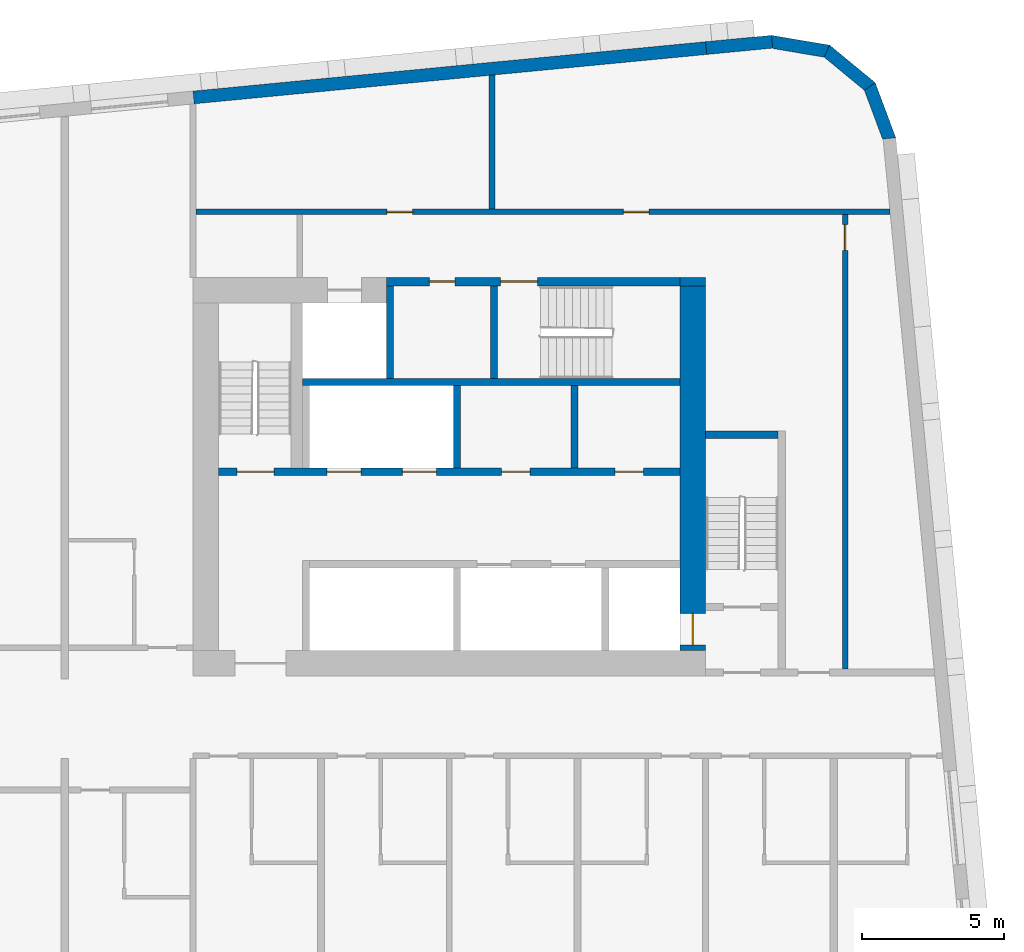
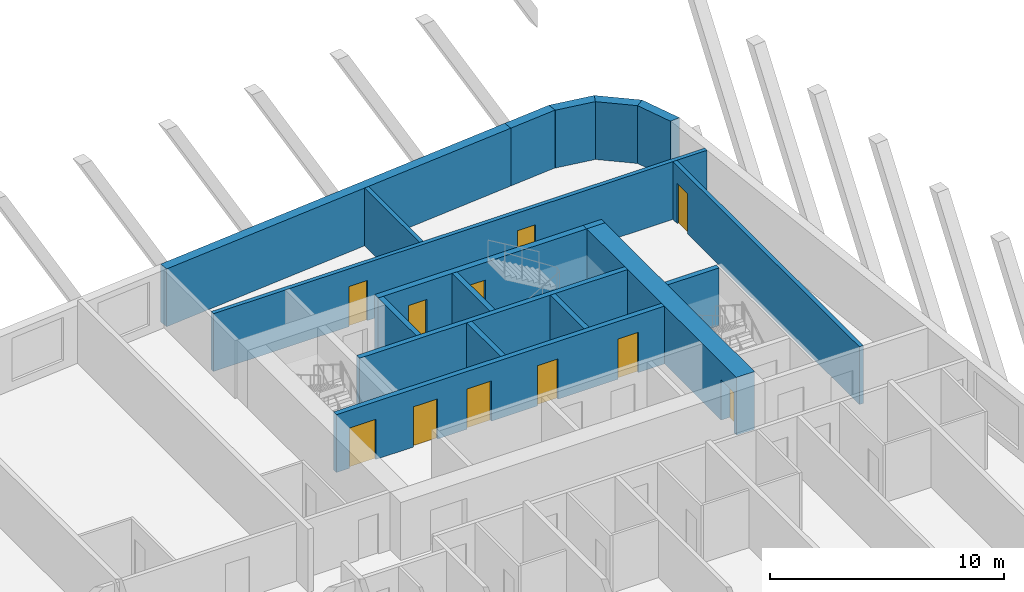
# One storey, part 8 of 13: 18 walls, 11 doors, 11 openings.
"""IFC4 building model written with IfcOpenShell, lengths in metres."""

from ifc_helpers import new_model, si_unit, direction, frame, frame_2d, origin, place, context, subcontext, project, spatial, polyline, rectangle, outline, extrude, material, layer, layer_set, type_object, element, fill, save


model = new_model("IFC4")

# Units and contexts
model_context = context("Model", 3, precision=1e-05, world=origin(), true_north=direction((0.0, 1.0)))
body_context = subcontext(model_context, "Body", "Model", "MODEL_VIEW")
ifc_project = project(units=[si_unit("LENGTHUNIT", "METRE"), si_unit("AREAUNIT", "SQUARE_METRE"), si_unit("VOLUMEUNIT", "CUBIC_METRE"), si_unit("PLANEANGLEUNIT", "RADIAN"), si_unit("MASSUNIT", "GRAM", prefix="KILO")], contexts=[model_context])

# Site, building, storey
site_placement = place(None, origin())
site = spatial("IfcSite", under=ifc_project, at=site_placement, CompositionType="ELEMENT")
building_placement = place(site_placement, origin())
building = spatial("IfcBuilding", under=site, at=building_placement, Name="Kajstack Hotel Tower", CompositionType="ELEMENT")
storey_placement = place(building_placement, frame((0.0, 0.0, 186.699951171875)))
storey = spatial("IfcBuildingStorey", under=building, at=storey_placement, Name="L44", CompositionType="ELEMENT", Elevation=186.699951171875)

# Wall
ifc_material_1 = material(Name="Concrete C60/75", Category="concrete")
ifc_layer_1 = layer(ifc_material_1, 0.89990234375)
ifc_layer_set_1 = layer_set([ifc_layer_1], Name="Core wall 900")
wall_type_1 = type_object("IfcWallType", Name="Core wall 900", PredefinedType="SHEAR", material=ifc_layer_set_1)
wall_1_placement = place(storey_placement, frame((30.60009765625, 15.35009765625, 0.0), z_axis=(0.0, 0.0, 1.0), x_axis=(1.0, 0.0, 0.0)))
element("IfcWall", 1, at=wall_1_placement, inside=storey, type_object=wall_type_1, Name="Core wall E RSW", PredefinedType="SHEAR", context=body_context, shape_type="SweptSolid", body=[
    extrude(rectangle(XDim=0.89990234375, YDim=0.300048828125, at=frame_2d((0.449951171875, 0.0))), origin(), (0.0, 0.0, 1.0), 3.02001953125),
])

# Wall, opening, door
wall_2_placement = place(storey_placement, frame((31.050048828125, 2.39990234375, 0.0), z_axis=(0.0, 0.0, 1.0), x_axis=(0.0, 1.0, 0.0)))
wall_2 = element("IfcWall", 2, at=wall_2_placement, inside=storey, type_object=wall_type_1, Name="Core wall E RW", PredefinedType="SHEAR", context=body_context, shape_type="SweptSolid", body=[
    extrude(rectangle(XDim=12.800048828125, YDim=0.89990234375, at=frame_2d((6.39990234375, 0.0))), origin(), (0.0, 0.0, 1.0), 3.02001953125),
])
opening_1_placement = place(wall_2_placement, frame((0.199951171875, 0.0, 0.0)))
opening_1 = element("IfcOpeningElement", 3, at=opening_1_placement, cuts=wall_2, Name="Opening LD-FF2", PredefinedType="OPENING", context=body_context, shape_type="SweptSolid", body=[
    extrude(rectangle(XDim=1.10009765625, YDim=2.10009765625, at=frame_2d((0.550048828125, 1.050048828125))), frame((0.0, 0.4599609375, 0.0), z_axis=(0.0, -1.0, 0.0), x_axis=(1.0, 0.0, 0.0)), (0.0, 0.0, 1.0), 0.919921875),
])
ifc_material_2 = material(Name="Stainless steel", Category="steel")
door_type_1 = type_object("IfcDoorType", Name="Fire-fighting lift landing door 1100", OperationType="SLIDING_TO_LEFT", PredefinedType="DOOR", material=ifc_material_2)
door_1_placement = place(opening_1_placement, origin())
door_1 = element("IfcDoor", 4, at=door_1_placement, inside=storey, type_object=door_type_1, Name="Landing door FF2", OperationType="SLIDING_TO_LEFT", OverallHeight=2.10009765625, OverallWidth=1.10009765625, PredefinedType="DOOR", context=body_context, shape_type="SweptSolid", body=[
    extrude(rectangle(XDim=1.10009765625, YDim=2.10009765625, at=frame_2d((0.550048828125, 1.050048828125))), frame((0.0, 0.02490234375, 0.0), z_axis=(0.0, -1.0, 0.0), x_axis=(1.0, 0.0, 0.0)), (0.0, 0.0, 1.0), 0.050048828125),
])
fill(opening_1, door_1)

# Walls
ifc_material_3 = material(Name="Concrete C40/50", Category="concrete")
ifc_layer_2 = layer(ifc_material_3, 0.449951171875)
ifc_layer_set_2 = layer_set([ifc_layer_2], Name="EW-CORE")
wall_type_2 = type_object("IfcWallType", Name="EW-CORE", PredefinedType="SOLIDWALL", material=ifc_layer_set_2)
wall_3_placement = place(storey_placement, frame((31.521484375, 23.55078125, 0.0), z_axis=(0.0, 0.0, 1.0), x_axis=(-0.995395166513, -0.095856468129, 0.0)))
element("IfcWall", 5, at=wall_3_placement, inside=storey, type_object=wall_type_2, Name="E-wall-L44-12-01", PredefinedType="SOLIDWALL", context=body_context, shape_type="SweptSolid", body=[
    extrude(rectangle(XDim=18.083251953125, YDim=0.449951171875, at=frame_2d((9.04150390625, 0.0))), origin(), (0.0, 0.0, 1.0), 3.02001953125),
])
ifc_material_4 = material(Name="Terracotta-faced brick masonry", Category="masonry")
ifc_layer_3 = layer(ifc_material_4, 0.449951171875)
ifc_layer_set_3 = layer_set([ifc_layer_3], Name="EW-TERRA")
wall_type_3 = type_object("IfcWallType", Name="EW-TERRA", PredefinedType="SOLIDWALL", material=ifc_layer_set_3)
wall_4_placement = place(storey_placement, frame((37.96875, 20.320556640625, 0.0), z_axis=(0.0, 0.0, 1.0), x_axis=(-0.350192909346, 0.936677599948, 0.0)))
element("IfcWall", 6, at=wall_4_placement, inside=storey, type_object=wall_type_3, Name="E-wall-L44-09-00", PredefinedType="SOLIDWALL", context=body_context, shape_type="SweptSolid", body=[
    extrude(outline(polyline([(0.0, -0.22509765625), (2.070556640625, -0.22509765625), (1.949951171875, 0.22509765625), (0.12060546875, 0.224853515625), (0.0, -0.22509765625)])), origin(), (0.0, 0.0, 1.0), 3.02001953125),
])
wall_5_placement = place(storey_placement, frame((37.311279296875, 22.165283203125, 0.0), z_axis=(0.0, 0.0, 1.0), x_axis=(-0.771651049663, 0.636046112757, 0.0)))
element("IfcWall", 7, at=wall_5_placement, inside=storey, type_object=wall_type_3, Name="E-wall-L44-10-00", PredefinedType="SOLIDWALL", context=body_context, shape_type="SweptSolid", body=[
    extrude(outline(polyline([(0.0, -0.224853515625), (2.0703125, -0.22509765625), (1.94970703125, 0.224853515625), (0.12060546875, 0.22509765625), (0.0, -0.224853515625)])), origin(), (0.0, 0.0, 1.0), 3.02001953125),
])
wall_6_placement = place(storey_placement, frame((35.819580078125, 23.433837890625, 0.0), z_axis=(0.0, 0.0, 1.0), x_axis=(-0.986278951104, 0.165087342366, 0.0)))
element("IfcWall", 8, at=wall_6_placement, inside=storey, type_object=wall_type_3, Name="E-wall-L44-11-00", PredefinedType="SOLIDWALL", context=body_context, shape_type="SweptSolid", body=[
    extrude(outline(polyline([(0.0, -0.22509765625), (2.070556640625, -0.224853515625), (1.949951171875, 0.22509765625), (0.12060546875, 0.224853515625), (0.0, -0.22509765625)])), origin(), (0.0, 0.0, 1.0), 3.02001953125),
])
wall_7_placement = place(storey_placement, frame((33.836181640625, 23.7734375, 0.0), z_axis=(0.0, 0.0, 1.0), x_axis=(-0.995405373555, -0.095750416695, 0.0)))
element("IfcWall", 9, at=wall_7_placement, inside=storey, type_object=wall_type_3, Name="E-wall-L44-12-00", PredefinedType="SOLIDWALL", context=body_context, shape_type="SweptSolid", body=[
    extrude(rectangle(XDim=2.325439453125, YDim=0.449951171875, at=frame_2d((1.16259765625, 0.0))), origin(), (0.0, 0.0, 1.0), 3.02001953125),
])
ifc_material_5 = material(Name="Concrete C50/60", Category="concrete")
ifc_layer_4 = layer(ifc_material_5, 0.300048828125)
ifc_layer_set_4 = layer_set([ifc_layer_4], Name="Hoistway divider wall 300")
wall_type_4 = type_object("IfcWallType", Name="Hoistway divider wall 300", PredefinedType="SHEAR", material=ifc_layer_set_4)
wall_8_placement = place(storey_placement, frame((22.77490234375, 8.800048828125, 0.0), z_axis=(0.0, 0.0, 1.0), x_axis=(0.0, 1.0, 0.0)))
element("IfcWall", 10, at=wall_8_placement, inside=storey, type_object=wall_type_4, Name="Core wall E BP2", PredefinedType="SHEAR", context=body_context, shape_type="SweptSolid", body=[
    extrude(rectangle(XDim=2.89990234375, YDim=0.25, at=frame_2d((1.449951171875, 0.0))), origin(), (0.0, 0.0, 1.0), 3.02001953125),
])
ifc_material_6 = material(Name="Concrete block masonry", Category="masonry")
ifc_layer_5 = layer(ifc_material_6, 0.25)
ifc_layer_set_5 = layer_set([ifc_layer_5], Name="Riser partition 250")
wall_type_5 = type_object("IfcWallType", Name="Riser partition 250", PredefinedType="PARTITIONING", material=ifc_layer_set_5)
wall_9_placement = place(storey_placement, frame((26.89990234375, 8.800048828125, 0.0), z_axis=(0.0, 0.0, 1.0), x_axis=(0.0, 1.0, 0.0)))
element("IfcWall", 11, at=wall_9_placement, inside=storey, type_object=wall_type_5, Name="Partition E BF0", PredefinedType="PARTITIONING", context=body_context, shape_type="SweptSolid", body=[
    extrude(rectangle(XDim=2.89990234375, YDim=0.25, at=frame_2d((1.449951171875, 0.0))), origin(), (0.0, 0.0, 1.0), 3.02001953125),
])

# Wall, opening, door
ifc_material_7 = material(Name="Gypsum board on steel studs, mineral wool", Category="steel")
ifc_layer_6 = layer(ifc_material_7, 0.199951171875)
ifc_layer_set_6 = layer_set([ifc_layer_6], Name="Service partition 200")
wall_type_6 = type_object("IfcWallType", Name="Service partition 200", PredefinedType="PARTITIONING", material=ifc_layer_set_6)
wall_10_placement = place(storey_placement, frame((36.39990234375, 1.75, 0.0), z_axis=(0.0, 0.0, 1.0), x_axis=(0.0, 1.0, 0.0)))
wall_10 = element("IfcWall", 12, at=wall_10_placement, inside=storey, type_object=wall_type_6, Name="Partition E WRE", PredefinedType="PARTITIONING", context=body_context, shape_type="SweptSolid", body=[
    extrude(rectangle(XDim=15.949951171875, YDim=0.199951171875, at=frame_2d((7.97509765625, 0.0))), origin(), (0.0, 0.0, 1.0), 3.02001953125),
])
opening_2_placement = place(wall_10_placement, frame((14.699951171875, 0.0, 0.0)))
opening_2 = element("IfcOpeningElement", 13, at=opening_2_placement, cuts=wall_10, Name="Opening 44E18", PredefinedType="OPENING", context=body_context, shape_type="SweptSolid", body=[
    extrude(rectangle(XDim=0.89990234375, YDim=2.10009765625, at=frame_2d((0.449951171875, 1.050048828125))), frame((0.0, 0.10986328125, 0.0), z_axis=(0.0, -1.0, 0.0), x_axis=(1.0, 0.0, 0.0)), (0.0, 0.0, 1.0), 0.219970703125),
])
ifc_material_8 = material(Name="Timber leaf, fire-rated", Category="wood")
door_type_2 = type_object("IfcDoorType", Name="Service door 900", OperationType="SINGLE_SWING_LEFT", PredefinedType="DOOR", material=ifc_material_8)
door_2_placement = place(opening_2_placement, origin())
door_2 = element("IfcDoor", 14, at=door_2_placement, inside=storey, type_object=door_type_2, Name="Door 44E18", OperationType="SINGLE_SWING_RIGHT", OverallHeight=2.10009765625, OverallWidth=0.89990234375, PredefinedType="DOOR", context=body_context, shape_type="SweptSolid", body=[
    extrude(rectangle(XDim=0.89990234375, YDim=2.10009765625, at=frame_2d((0.449951171875, 1.050048828125))), frame((0.0, 0.02490234375, 0.0), z_axis=(0.0, -1.0, 0.0), x_axis=(1.0, 0.0, 0.0)), (0.0, 0.0, 1.0), 0.050048828125),
])
fill(opening_2, door_2)

# Wall, openings, doors
wall_11_placement = place(storey_placement, frame((13.60009765625, 17.800048828125, 0.0), z_axis=(0.0, 0.0, 1.0), x_axis=(1.0, 0.0, 0.0)))
wall_11 = element("IfcWall", 15, at=wall_11_placement, inside=storey, type_object=wall_type_6, Name="Partition E SLN", PredefinedType="PARTITIONING", context=body_context, shape_type="SweptSolid", body=[
    extrude(rectangle(XDim=24.377685546875, YDim=0.199951171875, at=frame_2d((12.18896484375, 0.0))), origin(), (0.0, 0.0, 1.0), 3.02001953125),
])
opening_3_placement = place(wall_11_placement, frame((15.012451171875, 0.0, 0.0)))
opening_3 = element("IfcOpeningElement", 16, at=opening_3_placement, cuts=wall_11, Name="Opening 44E16", PredefinedType="OPENING", context=body_context, shape_type="SweptSolid", body=[
    extrude(rectangle(XDim=0.89990234375, YDim=2.10009765625, at=frame_2d((0.449951171875, 1.050048828125))), frame((0.0, 0.10986328125, 0.0), z_axis=(0.0, -1.0, 0.0), x_axis=(1.0, 0.0, 0.0)), (0.0, 0.0, 1.0), 0.219970703125),
])
opening_4_placement = place(wall_11_placement, frame((6.71240234375, 0.0, 0.0)))
opening_4 = element("IfcOpeningElement", 17, at=opening_4_placement, cuts=wall_11, Name="Opening 44E17", PredefinedType="OPENING", context=body_context, shape_type="SweptSolid", body=[
    extrude(rectangle(XDim=0.89990234375, YDim=2.10009765625, at=frame_2d((0.449951171875, 1.050048828125))), frame((0.0, 0.10986328125, 0.0), z_axis=(0.0, -1.0, 0.0), x_axis=(1.0, 0.0, 0.0)), (0.0, 0.0, 1.0), 0.219970703125),
])
door_3_placement = place(opening_3_placement, origin())
door_3 = element("IfcDoor", 18, at=door_3_placement, inside=storey, type_object=door_type_2, Name="Door 44E16", OperationType="SINGLE_SWING_LEFT", OverallHeight=2.10009765625, OverallWidth=0.89990234375, PredefinedType="DOOR", context=body_context, shape_type="SweptSolid", body=[
    extrude(rectangle(XDim=0.89990234375, YDim=2.10009765625, at=frame_2d((0.449951171875, 1.050048828125))), frame((0.0, 0.02490234375, 0.0), z_axis=(0.0, -1.0, 0.0), x_axis=(1.0, 0.0, 0.0)), (0.0, 0.0, 1.0), 0.050048828125),
])
fill(opening_3, door_3)
door_4_placement = place(opening_4_placement, origin())
door_4 = element("IfcDoor", 19, at=door_4_placement, inside=storey, type_object=door_type_2, Name="Door 44E17", OperationType="SINGLE_SWING_LEFT", OverallHeight=2.10009765625, OverallWidth=0.89990234375, PredefinedType="DOOR", context=body_context, shape_type="SweptSolid", body=[
    extrude(rectangle(XDim=0.89990234375, YDim=2.10009765625, at=frame_2d((0.449951171875, 1.050048828125))), frame((0.0, 0.02490234375, 0.0), z_axis=(0.0, -1.0, 0.0), x_axis=(1.0, 0.0, 0.0)), (0.0, 0.0, 1.0), 0.050048828125),
])
fill(opening_4, door_4)

# Wall
wall_12_placement = place(storey_placement, frame((24.0, 17.89990234375, 0.0), z_axis=(0.0, 0.0, 1.0), x_axis=(0.0, 1.0, 0.0)))
element("IfcWall", 20, at=wall_12_placement, inside=storey, type_object=wall_type_6, Name="Partition E SLP0", PredefinedType="PARTITIONING", context=body_context, shape_type="SweptSolid", body=[
    extrude(rectangle(XDim=4.701416015625, YDim=0.199951171875, at=frame_2d((2.3505859375, 0.0))), origin(), (0.0, 0.0, 1.0), 3.02001953125),
])

# Wall, openings, doors
ifc_layer_7 = layer(ifc_material_5, 0.25)
ifc_layer_set_7 = layer_set([ifc_layer_7], Name="Shaft wall 250")
wall_type_7 = type_object("IfcWallType", Name="Shaft wall 250", PredefinedType="SHEAR", material=ifc_layer_set_7)
wall_13_placement = place(storey_placement, frame((20.300048828125, 15.35009765625, 0.0), z_axis=(0.0, 0.0, 1.0), x_axis=(1.0, 0.0, 0.0)))
wall_13 = element("IfcWall", 21, at=wall_13_placement, inside=storey, type_object=wall_type_7, Name="Core wall E RSS", PredefinedType="SHEAR", context=body_context, shape_type="SweptSolid", body=[
    extrude(rectangle(XDim=10.300048828125, YDim=0.300048828125, at=frame_2d((5.14990234375, 0.0))), origin(), (0.0, 0.0, 1.0), 3.02001953125),
])
opening_5_placement = place(wall_13_placement, frame((4.0, 0.0, 0.0)))
opening_5 = element("IfcOpeningElement", 22, at=opening_5_placement, cuts=wall_13, Name="Opening 44E12", PredefinedType="OPENING", context=body_context, shape_type="SweptSolid", body=[
    extrude(rectangle(XDim=1.300048828125, YDim=2.10009765625, at=frame_2d((0.64990234375, 1.050048828125))), frame((0.0, 0.159912109375, 0.0), z_axis=(0.0, -1.0, 0.0), x_axis=(1.0, 0.0, 0.0)), (0.0, 0.0, 1.0), 0.320068359375),
])
opening_6_placement = place(wall_13_placement, frame((1.5, 0.0, 0.0)))
opening_6 = element("IfcOpeningElement", 23, at=opening_6_placement, cuts=wall_13, Name="Opening 44E13", PredefinedType="OPENING", context=body_context, shape_type="SweptSolid", body=[
    extrude(rectangle(XDim=0.89990234375, YDim=2.10009765625, at=frame_2d((0.449951171875, 1.050048828125))), frame((0.0, 0.159912109375, 0.0), z_axis=(0.0, -1.0, 0.0), x_axis=(1.0, 0.0, 0.0)), (0.0, 0.0, 1.0), 0.320068359375),
])
door_5_placement = place(opening_6_placement, origin())
door_5 = element("IfcDoor", 24, at=door_5_placement, inside=storey, type_object=door_type_2, Name="Door 44E13", OperationType="SINGLE_SWING_RIGHT", OverallHeight=2.10009765625, OverallWidth=0.89990234375, PredefinedType="DOOR", context=body_context, shape_type="SweptSolid", body=[
    extrude(rectangle(XDim=0.89990234375, YDim=2.10009765625, at=frame_2d((0.449951171875, 1.050048828125))), frame((0.0, 0.02490234375, 0.0), z_axis=(0.0, -1.0, 0.0), x_axis=(1.0, 0.0, 0.0)), (0.0, 0.0, 1.0), 0.050048828125),
])
fill(opening_6, door_5)
ifc_material_9 = material(Name="Steel leaf, fire-rated", Category="steel")
door_type_3 = type_object("IfcDoorType", Name="Stair door 1300", OperationType="SINGLE_SWING_LEFT", PredefinedType="DOOR", material=ifc_material_9)
door_6_placement = place(opening_5_placement, origin())
door_6 = element("IfcDoor", 25, at=door_6_placement, inside=storey, type_object=door_type_3, Name="Door 44E12", OperationType="SINGLE_SWING_LEFT", OverallHeight=2.10009765625, OverallWidth=1.300048828125, PredefinedType="DOOR", context=body_context, shape_type="SweptSolid", body=[
    extrude(rectangle(XDim=1.300048828125, YDim=2.10009765625, at=frame_2d((0.64990234375, 1.050048828125))), frame((0.0, 0.02490234375, 0.0), z_axis=(0.0, -1.0, 0.0), x_axis=(1.0, 0.0, 0.0)), (0.0, 0.0, 1.0), 0.050048828125),
])
fill(opening_5, door_6)

wall_14_placement = place(storey_placement, frame((14.39990234375, 8.675048828125, 0.0), z_axis=(0.0, 0.0, 1.0), x_axis=(1.0, 0.0, 0.0)))
wall_14 = element("IfcWall", 26, at=wall_14_placement, inside=storey, type_object=wall_type_7, Name="Core wall E FB", PredefinedType="SHEAR", context=body_context, shape_type="SweptSolid", body=[
    extrude(rectangle(XDim=16.2001953125, YDim=0.25, at=frame_2d((8.10009765625, 0.0))), origin(), (0.0, 0.0, 1.0), 3.02001953125),
])
opening_7_placement = place(wall_14_placement, frame((6.449951171875, 0.0, 0.0)))
opening_7 = element("IfcOpeningElement", 27, at=opening_7_placement, cuts=wall_14, Name="Opening LD-MR5", PredefinedType="OPENING", context=body_context, shape_type="SweptSolid", body=[
    extrude(rectangle(XDim=1.199951171875, YDim=2.10009765625, at=frame_2d((0.60009765625, 1.050048828125))), frame((0.0, 0.135009765625, 0.0), z_axis=(0.0, -1.0, 0.0), x_axis=(1.0, 0.0, 0.0)), (0.0, 0.0, 1.0), 0.27001953125),
])
opening_8_placement = place(wall_14_placement, frame((3.800048828125, 0.0, 0.0)))
opening_8 = element("IfcOpeningElement", 28, at=opening_8_placement, cuts=wall_14, Name="Opening LD-MR6", PredefinedType="OPENING", context=body_context, shape_type="SweptSolid", body=[
    extrude(rectangle(XDim=1.199951171875, YDim=2.10009765625, at=frame_2d((0.60009765625, 1.050048828125))), frame((0.0, 0.135009765625, 0.0), z_axis=(0.0, -1.0, 0.0), x_axis=(1.0, 0.0, 0.0)), (0.0, 0.0, 1.0), 0.27001953125),
])
opening_9_placement = place(wall_14_placement, frame((0.64990234375, 0.0, 0.0)))
opening_9 = element("IfcOpeningElement", 29, at=opening_9_placement, cuts=wall_14, Name="Opening 44E11", PredefinedType="OPENING", context=body_context, shape_type="SweptSolid", body=[
    extrude(rectangle(XDim=1.300048828125, YDim=2.10009765625, at=frame_2d((0.64990234375, 1.050048828125))), frame((0.0, 0.135009765625, 0.0), z_axis=(0.0, -1.0, 0.0), x_axis=(1.0, 0.0, 0.0)), (0.0, 0.0, 1.0), 0.27001953125),
])
opening_10_placement = place(wall_14_placement, frame((13.91259765625, 0.0, 0.0)))
opening_10 = element("IfcOpeningElement", 30, at=opening_10_placement, cuts=wall_14, Name="Opening 44E14", PredefinedType="OPENING", context=body_context, shape_type="SweptSolid", body=[
    extrude(rectangle(XDim=1.0, YDim=2.10009765625, at=frame_2d((0.5, 1.050048828125))), frame((0.0, 0.135009765625, 0.0), z_axis=(0.0, -1.0, 0.0), x_axis=(1.0, 0.0, 0.0)), (0.0, 0.0, 1.0), 0.27001953125),
])
opening_11_placement = place(wall_14_placement, frame((9.9375, 0.0, 0.0)))
opening_11 = element("IfcOpeningElement", 31, at=opening_11_placement, cuts=wall_14, Name="Opening 44E15", PredefinedType="OPENING", context=body_context, shape_type="SweptSolid", body=[
    extrude(rectangle(XDim=1.0, YDim=2.10009765625, at=frame_2d((0.5, 1.050048828125))), frame((0.0, 0.135009765625, 0.0), z_axis=(0.0, -1.0, 0.0), x_axis=(1.0, 0.0, 0.0)), (0.0, 0.0, 1.0), 0.27001953125),
])
door_type_4 = type_object("IfcDoorType", Name="Lift landing door 1200", OperationType="SLIDING_TO_LEFT", PredefinedType="DOOR", material=ifc_material_2)
door_7_placement = place(opening_7_placement, origin())
door_7 = element("IfcDoor", 32, at=door_7_placement, inside=storey, type_object=door_type_4, Name="Landing door MR5", OperationType="SLIDING_TO_LEFT", OverallHeight=2.10009765625, OverallWidth=1.199951171875, PredefinedType="DOOR", context=body_context, shape_type="SweptSolid", body=[
    extrude(rectangle(XDim=1.199951171875, YDim=2.10009765625, at=frame_2d((0.60009765625, 1.050048828125))), frame((0.0, 0.02490234375, 0.0), z_axis=(0.0, -1.0, 0.0), x_axis=(1.0, 0.0, 0.0)), (0.0, 0.0, 1.0), 0.050048828125),
])
fill(opening_7, door_7)
door_8_placement = place(opening_8_placement, origin())
door_8 = element("IfcDoor", 33, at=door_8_placement, inside=storey, type_object=door_type_4, Name="Landing door MR6", OperationType="SLIDING_TO_RIGHT", OverallHeight=2.10009765625, OverallWidth=1.199951171875, PredefinedType="DOOR", context=body_context, shape_type="SweptSolid", body=[
    extrude(rectangle(XDim=1.199951171875, YDim=2.10009765625, at=frame_2d((0.60009765625, 1.050048828125))), frame((0.0, 0.02490234375, 0.0), z_axis=(0.0, -1.0, 0.0), x_axis=(1.0, 0.0, 0.0)), (0.0, 0.0, 1.0), 0.050048828125),
])
fill(opening_8, door_8)
door_type_5 = type_object("IfcDoorType", Name="Service room door 1000", OperationType="SINGLE_SWING_LEFT", PredefinedType="DOOR", material=ifc_material_8)
door_9_placement = place(opening_10_placement, origin())
door_9 = element("IfcDoor", 34, at=door_9_placement, inside=storey, type_object=door_type_5, Name="Door 44E14", OperationType="SINGLE_SWING_LEFT", OverallHeight=2.10009765625, OverallWidth=1.0, PredefinedType="DOOR", context=body_context, shape_type="SweptSolid", body=[
    extrude(rectangle(XDim=1.0, YDim=2.10009765625, at=frame_2d((0.5, 1.050048828125))), frame((0.0, 0.02490234375, 0.0), z_axis=(0.0, -1.0, 0.0), x_axis=(1.0, 0.0, 0.0)), (0.0, 0.0, 1.0), 0.050048828125),
])
fill(opening_10, door_9)
door_10_placement = place(opening_11_placement, origin())
door_10 = element("IfcDoor", 35, at=door_10_placement, inside=storey, type_object=door_type_5, Name="Door 44E15", OperationType="SINGLE_SWING_LEFT", OverallHeight=2.10009765625, OverallWidth=1.0, PredefinedType="DOOR", context=body_context, shape_type="SweptSolid", body=[
    extrude(rectangle(XDim=1.0, YDim=2.10009765625, at=frame_2d((0.5, 1.050048828125))), frame((0.0, 0.02490234375, 0.0), z_axis=(0.0, -1.0, 0.0), x_axis=(1.0, 0.0, 0.0)), (0.0, 0.0, 1.0), 0.050048828125),
])
fill(opening_11, door_10)
door_11_placement = place(opening_9_placement, origin())
door_11 = element("IfcDoor", 36, at=door_11_placement, inside=storey, type_object=door_type_3, Name="Door 44E11", OperationType="SINGLE_SWING_LEFT", OverallHeight=2.10009765625, OverallWidth=1.300048828125, PredefinedType="DOOR", context=body_context, shape_type="SweptSolid", body=[
    extrude(rectangle(XDim=1.300048828125, YDim=2.10009765625, at=frame_2d((0.64990234375, 1.050048828125))), frame((0.0, 0.02490234375, 0.0), z_axis=(0.0, -1.0, 0.0), x_axis=(1.0, 0.0, 0.0)), (0.0, 0.0, 1.0), 0.050048828125),
])
fill(opening_9, door_11)

# Walls
wall_15_placement = place(storey_placement, frame((17.35009765625, 11.824951171875, 0.0), z_axis=(0.0, 0.0, 1.0), x_axis=(1.0, 0.0, 0.0)))
element("IfcWall", 37, at=wall_15_placement, inside=storey, type_object=wall_type_7, Name="Core wall E RB", PredefinedType="SHEAR", context=body_context, shape_type="SweptSolid", body=[
    extrude(rectangle(XDim=13.25, YDim=0.25, at=frame_2d((6.625, 0.0))), origin(), (0.0, 0.0, 1.0), 3.02001953125),
])
wall_16_placement = place(storey_placement, frame((20.425048828125, 11.949951171875, 0.0), z_axis=(0.0, 0.0, 1.0), x_axis=(0.0, 1.0, 0.0)))
element("IfcWall", 38, at=wall_16_placement, inside=storey, type_object=wall_type_7, Name="Core wall E SVW", PredefinedType="SHEAR", context=body_context, shape_type="SweptSolid", body=[
    extrude(rectangle(XDim=3.25, YDim=0.25, at=frame_2d((1.625, 0.0))), origin(), (0.0, 0.0, 1.0), 3.02001953125),
])
ifc_layer_8 = layer(ifc_material_3, 0.25)
ifc_layer_set_8 = layer_set([ifc_layer_8], Name="Stair enclosure wall 250")
wall_type_8 = type_object("IfcWallType", Name="Stair enclosure wall 250", PredefinedType="SHEAR", material=ifc_layer_set_8)
wall_17_placement = place(storey_placement, frame((31.5, 9.97509765625, 0.0), z_axis=(0.0, 0.0, 1.0), x_axis=(1.0, 0.0, 0.0)))
element("IfcWall", 39, at=wall_17_placement, inside=storey, type_object=wall_type_8, Name="Core wall E W1S", PredefinedType="SHEAR", context=body_context, shape_type="SweptSolid", body=[
    extrude(rectangle(XDim=2.550048828125, YDim=0.25, at=frame_2d((1.27490234375, 0.0))), origin(), (0.0, 0.0, 1.0), 3.02001953125),
])
ifc_layer_9 = layer(ifc_material_5, 0.35009765625)
ifc_layer_set_9 = layer_set([ifc_layer_9], Name="Stair enclosure wall 350")
wall_type_9 = type_object("IfcWallType", Name="Stair enclosure wall 350", PredefinedType="SHEAR", material=ifc_layer_set_9)
wall_18_placement = place(storey_placement, frame((24.074951171875, 11.949951171875, 0.0), z_axis=(0.0, 0.0, 1.0), x_axis=(0.0, 1.0, 0.0)))
element("IfcWall", 40, at=wall_18_placement, inside=storey, type_object=wall_type_9, Name="Core wall E W3E", PredefinedType="SHEAR", context=body_context, shape_type="SweptSolid", body=[
    extrude(rectangle(XDim=3.25, YDim=0.25, at=frame_2d((1.625, 0.0))), origin(), (0.0, 0.0, 1.0), 3.02001953125),
])

save(model, "model.ifc")
